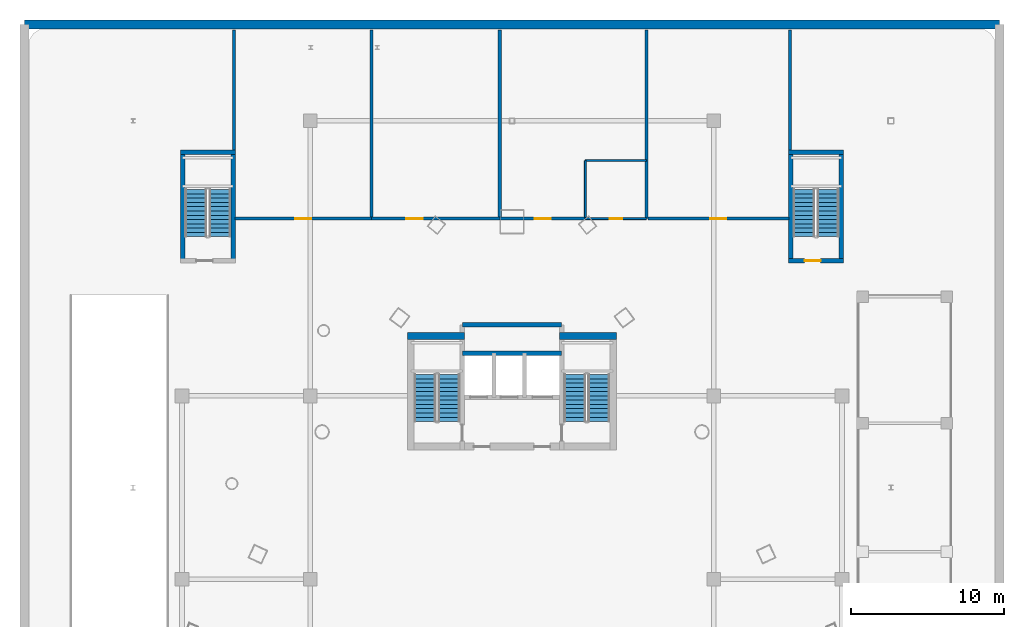
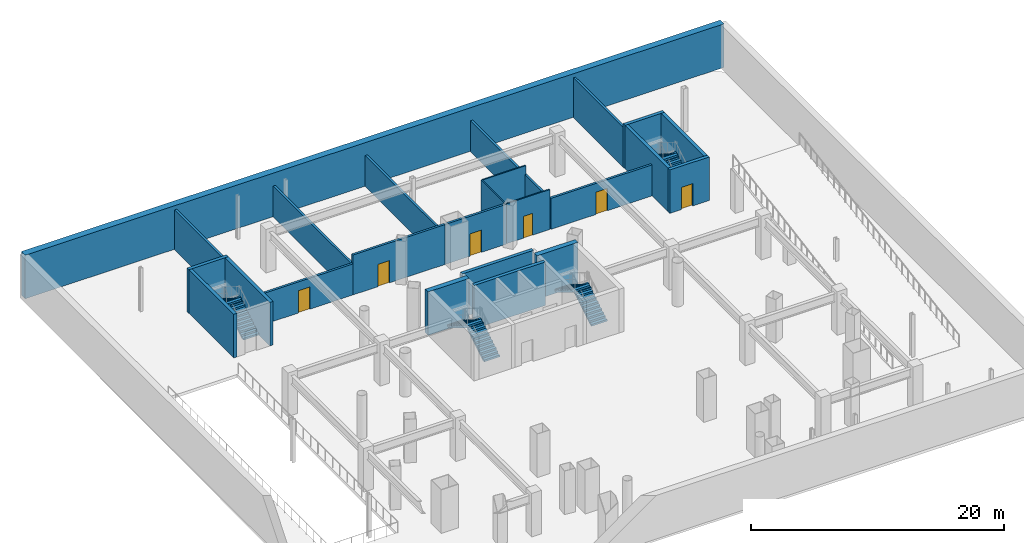
# One storey, part 6 of 10: 24 walls, 8 stair flights, 6 doors, 6 openings, 4 elements without a shape of their own.
"""IFC4 building model written with IfcOpenShell, lengths in metres."""

import ifcopenshell
import ifcopenshell.guid

model = None  # the IFC model being written
_history = None  # IfcOwnerHistory: only IFC2X3 demands one
_inside = {}  # id of a spatial element -> (the spatial element, [elements in it])
_under = {}  # id of a project, library or spatial element -> (it, [spatial elements below it])
_declared = {}  # id of a project -> (the project, [libraries it declares])
_typed = {}  # id of a type object -> (the type object, [elements of that type])
_made_of = {}  # id of a material, layer set ... -> (it, [elements and type objects made of it])


def new_model(schema):
    """Start an empty IFC model of exactly this schema.

    Asked for "IFC4X3", IfcOpenShell would pick the latest addendum, in which some entities
    have other attributes; the version numbers below select the first issue.
    IFC2X3 requires an IfcOwnerHistory on every rooted entity: one is made here for all.
    """
    global model, _history
    if schema == "IFC4X3":
        model = ifcopenshell.file(schema_version=(4, 3, 0, 0))
    else:
        model = ifcopenshell.file(schema=schema)
    _inside.clear()
    _under.clear()
    _declared.clear()
    _typed.clear()
    _made_of.clear()
    _history = None
    if model.schema == "IFC2X3":
        org = make("IfcOrganization", Name="unknown")
        user = make(
            "IfcPersonAndOrganization",
            ThePerson=make("IfcPerson", FamilyName="unknown"),
            TheOrganization=org,
        )
        app = make(
            "IfcApplication",
            ApplicationDeveloper=org,
            Version="unknown",
            ApplicationFullName="unknown",
            ApplicationIdentifier="unknown",
        )
        _history = make(
            "IfcOwnerHistory",
            OwningUser=user,
            OwningApplication=app,
            ChangeAction="ADDED",
            CreationDate=0,
        )
    return model


def make(cls, **values):
    """One entity of the class cls with the attributes given. An attribute that is None is left unset."""
    return model.create_entity(
        cls, **{name: value for name, value in values.items() if value is not None}
    )


def rooted(cls, **values):
    """An entity with a GlobalId (a new one), such as an element, a storey or a relation."""
    return make(cls, GlobalId=ifcopenshell.guid.new(), OwnerHistory=_history, **values)


def si_unit(unit_type, name, prefix=None):
    """IfcSIUnit, for example si_unit("LENGTHUNIT", "METRE", prefix="MILLI")."""
    return make("IfcSIUnit", UnitType=unit_type, Prefix=prefix, Name=name)


def assignment(units):
    """IfcUnitAssignment: the units of a project."""
    return None if units is None else make("IfcUnitAssignment", Units=units)


def point(xyz):
    """IfcCartesianPoint."""
    return None if xyz is None else make("IfcCartesianPoint", Coordinates=xyz)


def direction(xyz):
    """IfcDirection."""
    return None if xyz is None else make("IfcDirection", DirectionRatios=xyz)


def frame(location, z_axis=None, x_axis=None):
    """IfcAxis2Placement3D, a coordinate frame: its origin and axes. An axis left out is left unset."""
    return make(
        "IfcAxis2Placement3D",
        Location=point(location),
        Axis=direction(z_axis),
        RefDirection=direction(x_axis),
    )


def frame_2d(location, x_axis=None):
    """IfcAxis2Placement2D, a coordinate frame in the plane: its origin and x axis."""
    return make(
        "IfcAxis2Placement2D", Location=point(location), RefDirection=direction(x_axis)
    )


def origin():
    """The frame at (0, 0, 0) with its axes left unset."""
    return frame((0.0, 0.0, 0.0))


def place(relative_to, where):
    """IfcLocalPlacement: puts the frame where relative to a parent placement (None: the world)."""
    return make(
        "IfcLocalPlacement", PlacementRelTo=relative_to, RelativePlacement=where
    )


def context(
    kind, dimensions, precision=None, world=None, true_north=None, identifier=None
):
    """IfcGeometricRepresentationContext, for example the 3D "Model" context."""
    return make(
        "IfcGeometricRepresentationContext",
        ContextIdentifier=identifier,
        ContextType=kind,
        CoordinateSpaceDimension=dimensions,
        Precision=precision,
        WorldCoordinateSystem=world,
        TrueNorth=true_north,
    )


def subcontext(parent, identifier, kind, view, scale=None):
    """IfcGeometricRepresentationSubContext, for example "Body" below "Model"."""
    return make(
        "IfcGeometricRepresentationSubContext",
        ContextIdentifier=identifier,
        ContextType=kind,
        ParentContext=parent,
        TargetScale=scale,
        TargetView=view,
    )


def project(units=None, contexts=None):
    """IfcProject with its units and contexts."""
    return rooted(
        "IfcProject",
        Name="project",
        RepresentationContexts=contexts,
        UnitsInContext=assignment(units),
    )


def spatial(cls, under=None, at=None, **own):
    """A site, building, storey or space (cls), placed at a placement, below another one or the project."""
    s = rooted(cls, ObjectPlacement=at, **own)
    if under is not None:
        _under.setdefault(under.id(), (under, []))[1].append(s)
    return s


def polyline(points):
    """IfcPolyline through the points."""
    return make("IfcPolyline", Points=[point(p) for p in points])


def profile(cls, at=None, kind="AREA", **sizes):
    """A parametric profile (cls). Its sizes go by their IFC names, for example OverallWidth=200.0."""
    return make(cls, ProfileType=kind, Position=at, **sizes)


def rectangle(**sizes):
    """IfcRectangleProfileDef."""
    return profile("IfcRectangleProfileDef", **sizes)


def outline(outer, holes=None, kind="AREA"):
    """IfcArbitraryClosedProfileDef: a profile drawn as a closed curve; with holes, ...WithVoids."""
    if holes is None:
        return make("IfcArbitraryClosedProfileDef", ProfileType=kind, OuterCurve=outer)
    return make(
        "IfcArbitraryProfileDefWithVoids",
        ProfileType=kind,
        OuterCurve=outer,
        InnerCurves=holes,
    )


def extrude(swept, where, along, depth):
    """IfcExtrudedAreaSolid: the profile swept, set in the frame where, extruded along a direction by depth."""
    return make(
        "IfcExtrudedAreaSolid",
        SweptArea=swept,
        Position=where,
        ExtrudedDirection=direction(along),
        Depth=depth,
    )


def shape(context_of_items, identifier, shape_type, items):
    """IfcShapeRepresentation: the items that make up one representation, for example the "Body"."""
    return make(
        "IfcShapeRepresentation",
        ContextOfItems=context_of_items,
        RepresentationIdentifier=identifier,
        RepresentationType=shape_type,
        Items=items,
    )


def material(Name=None, Category=None):
    """IfcMaterial."""
    return make("IfcMaterial", Name=Name, Category=Category)


def layer(
    of_material, thickness, ventilated=None, Name=None, Category=None, Priority=None
):
    """IfcMaterialLayer: one layer of a wall or slab, of a material (None: an air gap)."""
    return make(
        "IfcMaterialLayer",
        Material=of_material,
        LayerThickness=thickness,
        IsVentilated=ventilated,
        Name=Name,
        Category=Category,
        Priority=Priority,
    )


def layer_set(layers, Name=None):
    """IfcMaterialLayerSet."""
    return make("IfcMaterialLayerSet", MaterialLayers=layers, LayerSetName=Name)


def made_of(thing, what):
    """Note that an element or type object is made of a material, layer set ...; save() writes the relation."""
    if what is not None:
        _made_of.setdefault(what.id(), (what, []))[1].append(thing)
    return thing


def type_object(cls, material=None, **own):
    """A type object (cls), such as IfcWallType, which elements share."""
    return made_of(rooted(cls, **own), material)


def element(
    cls,
    number,
    at=None,
    inside=None,
    cuts=None,
    type_object=None,
    material=None,
    context=None,
    identifier="Body",
    shape_type=None,
    held_by="IfcProductDefinitionShape",
    body=None,
    shapes=None,
    **own,
):
    """One element of the class cls, such as IfcWall. Its Tag is "e" and its number.

    at: its placement. inside: the storey or other place that contains it. cuts: it is an
    opening in that element (IfcRelVoidsElement). A single representation is given by context,
    identifier, shape_type and body (its items); several are given by shapes. held_by: the class
    of the entity that holds the representations. save() writes the other relations.
    """
    e = rooted(cls, Tag="e%d" % number, ObjectPlacement=at, **own)
    if body is not None:
        shapes = [shape(context, identifier, shape_type, body)]
    if shapes is not None:
        e.Representation = make(held_by, Representations=shapes)
    if inside is not None:
        _inside.setdefault(inside.id(), (inside, []))[1].append(e)
    if cuts is not None:
        rooted(
            "IfcRelVoidsElement", RelatingBuildingElement=cuts, RelatedOpeningElement=e
        )
    if type_object is not None:
        _typed.setdefault(type_object.id(), (type_object, []))[1].append(e)
    return made_of(e, material)


def fill(opening, filler):
    """IfcRelFillsElement: the door or window that sits in an opening."""
    return rooted(
        "IfcRelFillsElement",
        RelatingOpeningElement=opening,
        RelatedBuildingElement=filler,
    )


def aggregate(whole, parts):
    """IfcRelAggregates: a whole, such as a stair, and the parts it consists of."""
    return rooted("IfcRelAggregates", RelatingObject=whole, RelatedObjects=parts)


def save(model, path):
    """Write the relations noted so far, then the file.

    IfcRelAggregates (storeys below a building ...), IfcRelContainedInSpatialStructure (elements
    in a storey), IfcRelDefinesByType, IfcRelAssociatesMaterial and IfcRelDeclares: one each for
    every whole, place, type object, material and project.
    """
    for whole, parts in _under.values():
        aggregate(whole, parts)
    for where, things in _inside.values():
        rooted(
            "IfcRelContainedInSpatialStructure",
            RelatedElements=things,
            RelatingStructure=where,
        )
    for kind, things in _typed.values():
        rooted("IfcRelDefinesByType", RelatedObjects=things, RelatingType=kind)
    for what, things in _made_of.values():
        rooted("IfcRelAssociatesMaterial", RelatedObjects=things, RelatingMaterial=what)
    for by, libraries in _declared.values():
        rooted("IfcRelDeclares", RelatingContext=by, RelatedDefinitions=libraries)
    model.write(path)


model = new_model("IFC4")

# Units and contexts
model_context = context("Model", 3, precision=1e-05, world=origin(), true_north=direction((0.0, 1.0)))
body_context = subcontext(model_context, "Body", "Model", "MODEL_VIEW")
ifc_project = project(units=[si_unit("LENGTHUNIT", "METRE"), si_unit("AREAUNIT", "SQUARE_METRE"), si_unit("VOLUMEUNIT", "CUBIC_METRE"), si_unit("PLANEANGLEUNIT", "RADIAN"), si_unit("MASSUNIT", "GRAM", prefix="KILO")], contexts=[model_context])

# Site, building, storey
site_placement = place(None, origin())
site = spatial("IfcSite", under=ifc_project, at=site_placement, CompositionType="ELEMENT")
building_placement = place(site_placement, origin())
building = spatial("IfcBuilding", under=site, at=building_placement, Name="Orvanel Arch Residences", CompositionType="ELEMENT")
storey_placement = place(building_placement, frame((0.0, 0.0, -4.199951171875)))
storey = spatial("IfcBuildingStorey", under=building, at=storey_placement, Name="B01", CompositionType="ELEMENT", Elevation=-4.199951171875)

# Walls
ifc_material_1 = material(Name="Concrete N50 (50 MPa)", Category="concrete")
ifc_layer_1 = layer(ifc_material_1, 0.60009765625)
ifc_layer_set_1 = layer_set([ifc_layer_1], Name="Concrete N50 (50 MPa)")
wall_type_1 = type_object("IfcWallType", Name="RW-BSM-600", PredefinedType="USERDEFINED", material=ifc_layer_set_1)
wall_1_placement = place(storey_placement, frame((64.89990234375, 54.300048828125, 0.0), z_axis=(0.0, 0.0, 1.0), x_axis=(-1.0, 0.0, 0.0)))
element("IfcWall", 1, at=wall_1_placement, inside=storey, type_object=wall_type_1, Name="B01 N Basement Retaining Wall", ObjectType="RETAININGWALL", PredefinedType="USERDEFINED", context=body_context, shape_type="SweptSolid", body=[
    extrude(rectangle(XDim=63.7998046875, YDim=0.60009765625, at=frame_2d((31.89990234375, 0.0))), origin(), (0.0, 0.0, 1.0), 4.199951171875),
])
ifc_material_2 = material(Name="Concrete S80 (80 MPa)", Category="concrete")
ifc_layer_2 = layer(ifc_material_2, 0.300048828125)
ifc_layer_set_2 = layer_set([ifc_layer_2], Name="Concrete S80 (80 MPa)")
wall_type_2 = type_object("IfcWallType", Name="SW-CORE-300", PredefinedType="SHEAR", material=ifc_layer_set_2)
for number, where, z_axis, x_axis, name in (
    (2, (29.75, 32.800048828125, 0.0), (0.0, 0.0, 1.0), (1.0, 0.0, 0.0), "B01 Emergency Lift Back Core Shear Wall"),
    (3, (29.75, 34.64990234375, 0.0), (0.0, 0.0, 1.0), (1.0, 0.0, 0.0), "B01 Core Service Band North Shear Wall"),
):
    element("IfcWall", number, at=place(storey_placement, frame(where, z_axis=z_axis, x_axis=x_axis)), inside=storey, type_object=wall_type_2, Name=name, PredefinedType="SHEAR", context=body_context, shape_type="SweptSolid", body=[
        extrude(rectangle(XDim=6.5, YDim=0.300048828125, at=frame_2d((3.25, 0.0))), origin(), (0.0, 0.0, 1.0), 4.199951171875),
    ])
for number, where, z_axis, x_axis, name in (
    (4, (11.449951171875, 38.699951171875, 0.0), (0.0, 0.0, 1.0), (0.0, 1.0, 0.0), "B01 ST3 West Shear Wall"),
    (5, (14.75, 38.699951171875, 0.0), (0.0, 0.0, 1.0), (0.0, 1.0, 0.0), "B01 ST3 East Shear Wall"),
):
    element("IfcWall", number, at=place(storey_placement, frame(where, z_axis=z_axis, x_axis=x_axis)), inside=storey, type_object=wall_type_2, Name=name, PredefinedType="SHEAR", context=body_context, shape_type="SweptSolid", body=[
        extrude(rectangle(XDim=7.400146484375, YDim=0.300048828125, at=frame_2d((3.7001953125, 0.0))), origin(), (0.0, 0.0, 1.0), 4.199951171875),
    ])
wall_2_placement = place(storey_placement, frame((11.300048828125, 45.949951171875, 0.0), z_axis=(0.0, 0.0, 1.0), x_axis=(1.0, 0.0, 0.0)))
element("IfcWall", 6, at=wall_2_placement, inside=storey, type_object=wall_type_2, Name="B01 ST3 North Shear Wall", PredefinedType="SHEAR", context=body_context, shape_type="SweptSolid", body=[
    extrude(rectangle(XDim=3.599853515625, YDim=0.300048828125, at=frame_2d((1.7998046875, 0.0))), origin(), (0.0, 0.0, 1.0), 4.199951171875),
])
for number, where, z_axis, x_axis, name in (
    (7, (51.25, 38.699951171875, 0.0), (0.0, 0.0, 1.0), (0.0, 1.0, 0.0), "B01 ST4 West Shear Wall"),
    (8, (54.550048828125, 38.699951171875, 0.0), (0.0, 0.0, 1.0), (0.0, 1.0, 0.0), "B01 ST4 East Shear Wall"),
):
    element("IfcWall", number, at=place(storey_placement, frame(where, z_axis=z_axis, x_axis=x_axis)), inside=storey, type_object=wall_type_2, Name=name, PredefinedType="SHEAR", context=body_context, shape_type="SweptSolid", body=[
        extrude(rectangle(XDim=7.400146484375, YDim=0.300048828125, at=frame_2d((3.7001953125, 0.0))), origin(), (0.0, 0.0, 1.0), 4.199951171875),
    ])
wall_3_placement = place(storey_placement, frame((51.10009765625, 45.949951171875, 0.0), z_axis=(0.0, 0.0, 1.0), x_axis=(1.0, 0.0, 0.0)))
element("IfcWall", 9, at=wall_3_placement, inside=storey, type_object=wall_type_2, Name="B01 ST4 North Shear Wall", PredefinedType="SHEAR", context=body_context, shape_type="SweptSolid", body=[
    extrude(rectangle(XDim=3.599853515625, YDim=0.300048828125, at=frame_2d((1.7998046875, 0.0))), origin(), (0.0, 0.0, 1.0), 4.199951171875),
])

# Wall, opening, door
wall_4_placement = place(storey_placement, frame((51.10009765625, 38.85009765625, 0.0), z_axis=(0.0, 0.0, 1.0), x_axis=(1.0, 0.0, 0.0)))
wall_4 = element("IfcWall", 10, at=wall_4_placement, inside=storey, type_object=wall_type_2, Name="B01 ST4 South Shear Wall", PredefinedType="SHEAR", context=body_context, shape_type="SweptSolid", body=[
    extrude(rectangle(XDim=3.599853515625, YDim=0.300048828125, at=frame_2d((1.7998046875, 0.0))), origin(), (0.0, 0.0, 1.0), 4.199951171875),
])
opening_1_placement = place(wall_4_placement, frame((1.050048828125, 0.0, 0.0)))
opening_1 = element("IfcOpeningElement", 11, at=opening_1_placement, cuts=wall_4, Name="Opening DF-120", PredefinedType="OPENING", context=body_context, shape_type="SweptSolid", body=[
    extrude(rectangle(XDim=1.050048828125, YDim=2.14990234375, at=frame_2d((0.52490234375, 1.074951171875))), frame((0.0, 0.159912109375, 0.0), z_axis=(0.0, -1.0, 0.0), x_axis=(1.0, 0.0, 0.0)), (0.0, 0.0, 1.0), 0.320068359375),
])
ifc_material_3 = material(Name="Galvanised steel fire-resisting door assembly", Category="steel")
door_type_1 = type_object("IfcDoorType", Name="DR-FD120-1050", OperationType="NOTDEFINED", PredefinedType="DOOR", material=ifc_material_3)
door_1_placement = place(opening_1_placement, origin())
door_1 = element("IfcDoor", 12, at=door_1_placement, inside=storey, type_object=door_type_1, Name="DR-B01-ST4 B01 ST4 Exit Door", OperationType="SINGLE_SWING_LEFT", OverallHeight=2.14990234375, OverallWidth=1.050048828125, PredefinedType="DOOR", context=body_context, shape_type="SweptSolid", body=[
    extrude(rectangle(XDim=1.050048828125, YDim=2.14990234375, at=frame_2d((0.52490234375, 1.074951171875))), frame((0.0, 0.02490234375, 0.0), z_axis=(0.0, -1.0, 0.0), x_axis=(1.0, 0.0, 0.0)), (0.0, 0.0, 1.0), 0.050048828125),
])
fill(opening_1, door_1)

# Walls
ifc_layer_3 = layer(ifc_material_2, 0.449951171875)
ifc_layer_set_3 = layer_set([ifc_layer_3], Name="Concrete S80 (80 MPa)")
wall_type_3 = type_object("IfcWallType", Name="SW-CORE-450", PredefinedType="SHEAR", material=ifc_layer_set_3)
for number, where, z_axis, x_axis, name in (
    (13, (26.14990234375, 33.925048828125, 0.0), (0.0, 0.0, 1.0), (1.0, 0.0, 0.0), "B01 West Stair North Shear Wall"),
    (14, (36.10009765625, 33.925048828125, 0.0), (0.0, 0.0, 1.0), (1.0, 0.0, 0.0), "B01 East Stair North Shear Wall"),
):
    element("IfcWall", number, at=place(storey_placement, frame(where, z_axis=z_axis, x_axis=x_axis)), inside=storey, type_object=wall_type_3, Name=name, PredefinedType="SHEAR", context=body_context, shape_type="SweptSolid", body=[
        extrude(rectangle(XDim=3.75, YDim=0.449951171875, at=frame_2d((1.875, 0.0))), origin(), (0.0, 0.0, 1.0), 4.199951171875),
    ])
ifc_material_4 = material(Name="Fire-rated plasterboard lined steel stud partition", Category="steel")
ifc_layer_4 = layer(ifc_material_4, 0.199951171875)
ifc_layer_set_4 = layer_set([ifc_layer_4], Name="Fire-rated plasterboard lined steel stud partition")
wall_type_4 = type_object("IfcWallType", Name="W-PLT-200", PredefinedType="PARTITIONING", material=ifc_layer_set_4)
for number, where, z_axis, x_axis, name in (
    (15, (14.800048828125, 46.10009765625, 0.0), (0.0, 0.0, 1.0), (0.0, 1.0, 0.0), "B01 North Band West Wall"),
    (16, (51.199951171875, 46.10009765625, 0.0), (0.0, 0.0, 1.0), (0.0, 1.0, 0.0), "B01 North Band East Wall"),
):
    element("IfcWall", number, at=place(storey_placement, frame(where, z_axis=z_axis, x_axis=x_axis)), inside=storey, type_object=wall_type_4, Name=name, PredefinedType="PARTITIONING", context=body_context, shape_type="SweptSolid", body=[
        extrude(rectangle(XDim=7.849853515625, YDim=0.199951171875, at=frame_2d((3.9248046875, 0.0))), origin(), (0.0, 0.0, 1.0), 3.849853515625),
    ])

# Wall, opening, door
wall_5_placement = place(storey_placement, frame((14.885009765625, 41.60009765625, 0.0), z_axis=(0.0, 0.0, 1.0), x_axis=(1.0, 0.0, 0.0)))
wall_5 = element("IfcWall", 17, at=wall_5_placement, inside=storey, type_object=wall_type_4, Name="B01 Fire Sprinkler and Hydrant Tank Building Services Plant Front Wall", PredefinedType="PARTITIONING", context=body_context, shape_type="SweptSolid", body=[
    extrude(rectangle(XDim=8.9150390625, YDim=0.199951171875, at=frame_2d((4.45751953125, 0.0))), origin(), (0.0, 0.0, 1.0), 2.9990234375),
])
opening_2_placement = place(wall_5_placement, frame((3.93310546875, 0.0, 0.0)))
opening_2 = element("IfcOpeningElement", 18, at=opening_2_placement, cuts=wall_5, Name="Opening DF-120", PredefinedType="OPENING", context=body_context, shape_type="SweptSolid", body=[
    extrude(rectangle(XDim=1.050048828125, YDim=2.14990234375, at=frame_2d((0.52490234375, 1.074951171875))), frame((0.0, 0.10986328125, 0.0), z_axis=(0.0, -1.0, 0.0), x_axis=(1.0, 0.0, 0.0)), (0.0, 0.0, 1.0), 0.219970703125),
])
door_2_placement = place(opening_2_placement, origin())
door_2 = element("IfcDoor", 19, at=door_2_placement, inside=storey, type_object=door_type_1, Name="DR-B01-PLT1 B01 Fire Sprinkler and Hydrant Tank Building Services Plant Door", OperationType="SINGLE_SWING_LEFT", OverallHeight=2.14990234375, OverallWidth=1.050048828125, PredefinedType="DOOR", context=body_context, shape_type="SweptSolid", body=[
    extrude(rectangle(XDim=1.050048828125, YDim=2.14990234375, at=frame_2d((0.52490234375, 1.074951171875))), frame((0.0, 0.02490234375, 0.0), z_axis=(0.0, -1.0, 0.0), x_axis=(1.0, 0.0, 0.0)), (0.0, 0.0, 1.0), 0.050048828125),
])
fill(opening_2, door_2)

# Wall
wall_6_placement = place(storey_placement, frame((23.800048828125, 41.68505859375, 0.0), z_axis=(0.0, 0.0, 1.0), x_axis=(0.0, 1.0, 0.0)))
element("IfcWall", 20, at=wall_6_placement, inside=storey, type_object=wall_type_4, Name="B01 Fire Sprinkler and Hydrant Tank Building Services Plant Dividing Wall", PredefinedType="PARTITIONING", context=body_context, shape_type="SweptSolid", body=[
    extrude(rectangle(XDim=12.264892578125, YDim=0.199951171875, at=frame_2d((6.13232421875, 0.0))), origin(), (0.0, 0.0, 1.0), 2.9990234375),
])

# Wall, opening, door
wall_7_placement = place(storey_placement, frame((23.800048828125, 41.60009765625, 0.0), z_axis=(0.0, 0.0, 1.0), x_axis=(1.0, 0.0, 0.0)))
wall_7 = element("IfcWall", 21, at=wall_7_placement, inside=storey, type_object=wall_type_4, Name="B01 Basement Bicycle Storage and End-of-Trip Facilities Front Wall", PredefinedType="PARTITIONING", context=body_context, shape_type="SweptSolid", body=[
    extrude(rectangle(XDim=8.39990234375, YDim=0.199951171875, at=frame_2d((4.199951171875, 0.0))), origin(), (0.0, 0.0, 1.0), 3.849853515625),
])
opening_3_placement = place(wall_7_placement, frame((2.2939453125, 0.0, 0.0)))
opening_3 = element("IfcOpeningElement", 22, at=opening_3_placement, cuts=wall_7, Name="Opening DF-060", PredefinedType="OPENING", context=body_context, shape_type="SweptSolid", body=[
    extrude(rectangle(XDim=1.050048828125, YDim=2.14990234375, at=frame_2d((0.52490234375, 1.074951171875))), frame((0.0, 0.10986328125, 0.0), z_axis=(0.0, -1.0, 0.0), x_axis=(1.0, 0.0, 0.0)), (0.0, 0.0, 1.0), 0.219970703125),
])
door_type_2 = type_object("IfcDoorType", Name="DR-FD60-1050", OperationType="NOTDEFINED", PredefinedType="DOOR", material=ifc_material_3)
door_3_placement = place(opening_3_placement, origin())
door_3 = element("IfcDoor", 23, at=door_3_placement, inside=storey, type_object=door_type_2, Name="DR-B01-BIKE B01 Basement Bicycle Storage and End-of-Trip Facilities Door", OperationType="SINGLE_SWING_LEFT", OverallHeight=2.14990234375, OverallWidth=1.050048828125, PredefinedType="DOOR", context=body_context, shape_type="SweptSolid", body=[
    extrude(rectangle(XDim=1.050048828125, YDim=2.14990234375, at=frame_2d((0.52490234375, 1.074951171875))), frame((0.0, 0.02490234375, 0.0), z_axis=(0.0, -1.0, 0.0), x_axis=(1.0, 0.0, 0.0)), (0.0, 0.0, 1.0), 0.050048828125),
])
fill(opening_3, door_3)

# Wall
wall_8_placement = place(storey_placement, frame((32.199951171875, 41.68505859375, 0.0), z_axis=(0.0, 0.0, 1.0), x_axis=(0.0, 1.0, 0.0)))
element("IfcWall", 24, at=wall_8_placement, inside=storey, type_object=wall_type_4, Name="B01 Basement Bicycle Storage and End-of-Trip Facilities Dividing Wall", PredefinedType="PARTITIONING", context=body_context, shape_type="SweptSolid", body=[
    extrude(rectangle(XDim=12.264892578125, YDim=0.199951171875, at=frame_2d((6.13232421875, 0.0))), origin(), (0.0, 0.0, 1.0), 2.9990234375),
])

# Wall, opening, door
wall_9_placement = place(storey_placement, frame((32.199951171875, 41.60009765625, 0.0), z_axis=(0.0, 0.0, 1.0), x_axis=(1.0, 0.0, 0.0)))
wall_9 = element("IfcWall", 25, at=wall_9_placement, inside=storey, type_object=wall_type_4, Name="B01 Clinical Bulk Store Room Front Wall", PredefinedType="PARTITIONING", context=body_context, shape_type="SweptSolid", body=[
    extrude(rectangle(XDim=5.60009765625, YDim=0.199951171875, at=frame_2d((2.800048828125, 0.0))), origin(), (0.0, 0.0, 1.0), 3.849853515625),
])
opening_4_placement = place(wall_9_placement, frame((2.27490234375, 0.0, 0.0)))
opening_4 = element("IfcOpeningElement", 26, at=opening_4_placement, cuts=wall_9, Name="Opening DF-060", PredefinedType="OPENING", context=body_context, shape_type="SweptSolid", body=[
    extrude(rectangle(XDim=1.050048828125, YDim=2.14990234375, at=frame_2d((0.52490234375, 1.074951171875))), frame((0.0, 0.10986328125, 0.0), z_axis=(0.0, -1.0, 0.0), x_axis=(1.0, 0.0, 0.0)), (0.0, 0.0, 1.0), 0.219970703125),
])
door_4_placement = place(opening_4_placement, origin())
door_4 = element("IfcDoor", 27, at=door_4_placement, inside=storey, type_object=door_type_2, Name="DR-B01-CLIN B01 Clinical Bulk Store Room Door", OperationType="SINGLE_SWING_LEFT", OverallHeight=2.14990234375, OverallWidth=1.050048828125, PredefinedType="DOOR", context=body_context, shape_type="SweptSolid", body=[
    extrude(rectangle(XDim=1.050048828125, YDim=2.14990234375, at=frame_2d((0.52490234375, 1.074951171875))), frame((0.0, 0.02490234375, 0.0), z_axis=(0.0, -1.0, 0.0), x_axis=(1.0, 0.0, 0.0)), (0.0, 0.0, 1.0), 0.050048828125),
])
fill(opening_4, door_4)

# Wall
wall_10_placement = place(storey_placement, frame((41.800048828125, 41.60009765625, 0.0), z_axis=(0.0, 0.0, 1.0), x_axis=(0.0, 1.0, 0.0)))
element("IfcWall", 28, at=wall_10_placement, inside=storey, type_object=wall_type_4, Name="B01 Plant West Wall", PredefinedType="PARTITIONING", context=body_context, shape_type="SweptSolid", body=[
    extrude(rectangle(XDim=12.349853515625, YDim=0.199951171875, at=frame_2d((6.1748046875, 0.0))), origin(), (0.0, 0.0, 1.0), 2.9990234375),
])

# Wall, opening, door
wall_11_placement = place(storey_placement, frame((41.885009765625, 41.60009765625, 0.0), z_axis=(0.0, 0.0, 1.0), x_axis=(1.0, 0.0, 0.0)))
wall_11 = element("IfcWall", 29, at=wall_11_placement, inside=storey, type_object=wall_type_4, Name="B01 HV Substation and Emergency Generator Building Services Plant Front Wall", PredefinedType="PARTITIONING", context=body_context, shape_type="SweptSolid", body=[
    extrude(rectangle(XDim=9.22998046875, YDim=0.199951171875, at=frame_2d((4.614990234375, 0.0))), origin(), (0.0, 0.0, 1.0), 2.9990234375),
])
opening_5_placement = place(wall_11_placement, frame((4.090087890625, 0.0, 0.0)))
opening_5 = element("IfcOpeningElement", 30, at=opening_5_placement, cuts=wall_11, Name="Opening DF-120", PredefinedType="OPENING", context=body_context, shape_type="SweptSolid", body=[
    extrude(rectangle(XDim=1.050048828125, YDim=2.14990234375, at=frame_2d((0.52490234375, 1.074951171875))), frame((0.0, 0.10986328125, 0.0), z_axis=(0.0, -1.0, 0.0), x_axis=(1.0, 0.0, 0.0)), (0.0, 0.0, 1.0), 0.219970703125),
])
door_5_placement = place(opening_5_placement, origin())
door_5 = element("IfcDoor", 31, at=door_5_placement, inside=storey, type_object=door_type_1, Name="DR-B01-PLT2 B01 HV Substation and Emergency Generator Building Services Plant Door", OperationType="SINGLE_SWING_LEFT", OverallHeight=2.14990234375, OverallWidth=1.050048828125, PredefinedType="DOOR", context=body_context, shape_type="SweptSolid", body=[
    extrude(rectangle(XDim=1.050048828125, YDim=2.14990234375, at=frame_2d((0.52490234375, 1.074951171875))), frame((0.0, 0.02490234375, 0.0), z_axis=(0.0, -1.0, 0.0), x_axis=(1.0, 0.0, 0.0)), (0.0, 0.0, 1.0), 0.050048828125),
])
fill(opening_5, door_5)

ifc_material_5 = material(Name="Acoustic plasterboard lined twin-stud partition", Category="gypsum")
ifc_layer_5 = layer(ifc_material_5, 0.1201171875)
ifc_layer_set_5 = layer_set([ifc_layer_5], Name="Acoustic plasterboard lined twin-stud partition")
wall_type_5 = type_object("IfcWallType", Name="W-WET-120", PredefinedType="PARTITIONING", material=ifc_layer_set_5)
wall_12_placement = place(storey_placement, frame((37.800048828125, 41.60009765625, 0.0), z_axis=(0.0, 0.0, 1.0), x_axis=(1.0, 0.0, 0.0)))
wall_12 = element("IfcWall", 32, at=wall_12_placement, inside=storey, type_object=wall_type_5, Name="B01 Basement Staff Accessible WC Front Wall", PredefinedType="PARTITIONING", context=body_context, shape_type="SweptSolid", body=[
    extrude(rectangle(XDim=4.0, YDim=0.1201171875, at=frame_2d((2.0, 0.0))), origin(), (0.0, 0.0, 1.0), 3.849853515625),
])
opening_6_placement = place(wall_12_placement, frame((1.590087890625, 0.0, 0.0)))
opening_6 = element("IfcOpeningElement", 33, at=opening_6_placement, cuts=wall_12, Name="Opening DW-082", PredefinedType="OPENING", context=body_context, shape_type="SweptSolid", body=[
    extrude(rectangle(XDim=0.820068359375, YDim=2.10009765625, at=frame_2d((0.41015625, 1.050048828125))), frame((0.0, 0.070068359375, 0.0), z_axis=(0.0, -1.0, 0.0), x_axis=(1.0, 0.0, 0.0)), (0.0, 0.0, 1.0), 0.14013671875),
])
ifc_material_6 = material(Name="Solid-core European oak veneer fire door leaf", Category="wood")
door_type_3 = type_object("IfcDoorType", Name="DR-WET-820", OperationType="NOTDEFINED", PredefinedType="DOOR", material=ifc_material_6)
door_6_placement = place(opening_6_placement, origin())
door_6 = element("IfcDoor", 34, at=door_6_placement, inside=storey, type_object=door_type_3, Name="DR-B01-WC B01 Basement Staff Accessible WC Door", OperationType="SINGLE_SWING_LEFT", OverallHeight=2.10009765625, OverallWidth=0.820068359375, PredefinedType="DOOR", context=body_context, shape_type="SweptSolid", body=[
    extrude(rectangle(XDim=0.820068359375, YDim=2.10009765625, at=frame_2d((0.41015625, 1.050048828125))), frame((0.0, 0.02490234375, 0.0), z_axis=(0.0, -1.0, 0.0), x_axis=(1.0, 0.0, 0.0)), (0.0, 0.0, 1.0), 0.050048828125),
])
fill(opening_6, door_6)

# Walls
wall_13_placement = place(storey_placement, frame((37.800048828125, 45.39990234375, 0.0), z_axis=(0.0, 0.0, 1.0), x_axis=(1.0, 0.0, 0.0)))
element("IfcWall", 35, at=wall_13_placement, inside=storey, type_object=wall_type_5, Name="B01 WC North Wall", PredefinedType="PARTITIONING", context=body_context, shape_type="SweptSolid", body=[
    extrude(rectangle(XDim=4.0, YDim=0.1201171875, at=frame_2d((2.0, 0.0))), origin(), (0.0, 0.0, 1.0), 3.849853515625),
])
wall_14_placement = place(storey_placement, frame((37.800048828125, 41.68505859375, 0.0), z_axis=(0.0, 0.0, 1.0), x_axis=(0.0, 1.0, 0.0)))
element("IfcWall", 36, at=wall_14_placement, inside=storey, type_object=wall_type_5, Name="B01 WC West Wall", PredefinedType="PARTITIONING", context=body_context, shape_type="SweptSolid", body=[
    extrude(rectangle(XDim=3.71484375, YDim=0.1201171875, at=frame_2d((1.857421875, 0.0))), origin(), (0.0, 0.0, 1.0), 3.849853515625),
])

# Stair, stair flights
ifc_material_7 = material(Name="Precast concrete N50 (50 MPa)", Category="concrete")
stair_type = type_object("IfcStairType", Name="STR-DOG-175", PredefinedType="USERDEFINED", material=ifc_material_7)
stair_1_placement = place(storey_placement, origin())
stair_1 = element("IfcStair", 37, at=stair_1_placement, inside=storey, type_object=stair_type, Name="B01 Fire-Isolated Core Exit Stair 1", ObjectType="TWO_RETURN_STAIR", PredefinedType="USERDEFINED")
stair_flight_type_1 = type_object("IfcStairFlightType", Name="SFL-C1-175", PredefinedType="STRAIGHT", material=ifc_material_7)
stair_flight_1_placement = place(storey_placement, frame((28.889892578125, 28.320068359375, 0.0), z_axis=(0.0, 0.0, 1.0), x_axis=(0.0, 1.0, 0.0)))
stair_flight_1 = element("IfcStairFlight", 38, at=stair_flight_1_placement, type_object=stair_flight_type_1, Name="ST-1 flight 1", NumberOfRisers=12, NumberOfTreads=11, PredefinedType="STRAIGHT", RiserHeight=0.175, TreadLength=0.28, context=body_context, shape_type="SweptSolid", body=[
    extrude(outline(polyline([(0.0, 0.0), (0.0, 0.175048828125), (0.280029296875, 0.175048828125), (0.280029296875, 0.35009765625), (0.56005859375, 0.35009765625), (0.56005859375, 0.52490234375), (0.840087890625, 0.52490234375), (0.840087890625, 0.699951171875), (1.1201171875, 0.699951171875), (1.1201171875, 0.875), (1.39990234375, 0.875), (1.39990234375, 1.050048828125), (1.679931640625, 1.050048828125), (1.679931640625, 1.22509765625), (1.9599609375, 1.22509765625), (1.9599609375, 1.39990234375), (2.239990234375, 1.39990234375), (2.239990234375, 1.574951171875), (2.52001953125, 1.574951171875), (2.52001953125, 1.75), (2.800048828125, 1.75), (2.800048828125, 1.925048828125), (3.080078125, 1.925048828125), (3.080078125, 2.10009765625), (3.080078125, 1.748291015625), (0.28271484375, 0.0), (0.0, 0.0)])), frame((0.0, 0.7099609375, 0.0), z_axis=(0.0, -1.0, 0.0), x_axis=(1.0, 0.0, 0.0)), (0.0, 0.0, 1.0), 1.419921875),
])
stair_flight_2_placement = place(storey_placement, frame((27.31005859375, 31.39990234375, 2.099853515625), z_axis=(0.0, 0.0, 1.0), x_axis=(0.0, -1.0, 0.0)))
stair_flight_2 = element("IfcStairFlight", 39, at=stair_flight_2_placement, type_object=stair_flight_type_1, Name="ST-1 flight 2", NumberOfRisers=12, NumberOfTreads=11, PredefinedType="STRAIGHT", RiserHeight=0.175, TreadLength=0.28, context=body_context, shape_type="SweptSolid", body=[
    extrude(outline(polyline([(0.0, 0.0), (0.0, 0.175048828125), (0.280029296875, 0.175048828125), (0.280029296875, 0.35009765625), (0.56005859375, 0.35009765625), (0.56005859375, 0.52490234375), (0.840087890625, 0.52490234375), (0.840087890625, 0.699951171875), (1.1201171875, 0.699951171875), (1.1201171875, 0.875), (1.39990234375, 0.875), (1.39990234375, 1.050048828125), (1.679931640625, 1.050048828125), (1.679931640625, 1.22509765625), (1.9599609375, 1.22509765625), (1.9599609375, 1.39990234375), (2.239990234375, 1.39990234375), (2.239990234375, 1.574951171875), (2.52001953125, 1.574951171875), (2.52001953125, 1.75), (2.800048828125, 1.75), (2.800048828125, 1.925048828125), (3.080078125, 1.925048828125), (3.080078125, 2.10009765625), (3.080078125, 1.748291015625), (0.28271484375, 0.0), (0.0, 0.0)])), frame((0.0, 0.7099609375, 0.0), z_axis=(0.0, -1.0, 0.0), x_axis=(1.0, 0.0, 0.0)), (0.0, 0.0, 1.0), 1.419921875),
])
aggregate(stair_1, [stair_flight_1, stair_flight_2])

stair_2_placement = place(storey_placement, origin())
stair_2 = element("IfcStair", 40, at=stair_2_placement, inside=storey, type_object=stair_type, Name="B01 Fire-Isolated Core Exit Stair 2", ObjectType="TWO_RETURN_STAIR", PredefinedType="USERDEFINED")
stair_flight_type_2 = type_object("IfcStairFlightType", Name="SFL-C2-175", PredefinedType="STRAIGHT", material=ifc_material_7)
stair_flight_3_placement = place(storey_placement, frame((38.68994140625, 28.320068359375, 0.0), z_axis=(0.0, 0.0, 1.0), x_axis=(0.0, 1.0, 0.0)))
stair_flight_3 = element("IfcStairFlight", 41, at=stair_flight_3_placement, type_object=stair_flight_type_2, Name="ST-2 flight 1", NumberOfRisers=12, NumberOfTreads=11, PredefinedType="STRAIGHT", RiserHeight=0.175, TreadLength=0.28, context=body_context, shape_type="SweptSolid", body=[
    extrude(outline(polyline([(0.0, 0.0), (0.0, 0.175048828125), (0.280029296875, 0.175048828125), (0.280029296875, 0.35009765625), (0.56005859375, 0.35009765625), (0.56005859375, 0.52490234375), (0.840087890625, 0.52490234375), (0.840087890625, 0.699951171875), (1.1201171875, 0.699951171875), (1.1201171875, 0.875), (1.39990234375, 0.875), (1.39990234375, 1.050048828125), (1.679931640625, 1.050048828125), (1.679931640625, 1.22509765625), (1.9599609375, 1.22509765625), (1.9599609375, 1.39990234375), (2.239990234375, 1.39990234375), (2.239990234375, 1.574951171875), (2.52001953125, 1.574951171875), (2.52001953125, 1.75), (2.800048828125, 1.75), (2.800048828125, 1.925048828125), (3.080078125, 1.925048828125), (3.080078125, 2.10009765625), (3.080078125, 1.748291015625), (0.28271484375, 0.0), (0.0, 0.0)])), frame((0.0, 0.7099609375, 0.0), z_axis=(0.0, -1.0, 0.0), x_axis=(1.0, 0.0, 0.0)), (0.0, 0.0, 1.0), 1.419921875),
])
stair_flight_4_placement = place(storey_placement, frame((37.110107421875, 31.39990234375, 2.099853515625), z_axis=(0.0, 0.0, 1.0), x_axis=(0.0, -1.0, 0.0)))
stair_flight_4 = element("IfcStairFlight", 42, at=stair_flight_4_placement, type_object=stair_flight_type_2, Name="ST-2 flight 2", NumberOfRisers=12, NumberOfTreads=11, PredefinedType="STRAIGHT", RiserHeight=0.175, TreadLength=0.28, context=body_context, shape_type="SweptSolid", body=[
    extrude(outline(polyline([(0.0, 0.0), (0.0, 0.175048828125), (0.280029296875, 0.175048828125), (0.280029296875, 0.35009765625), (0.56005859375, 0.35009765625), (0.56005859375, 0.52490234375), (0.840087890625, 0.52490234375), (0.840087890625, 0.699951171875), (1.1201171875, 0.699951171875), (1.1201171875, 0.875), (1.39990234375, 0.875), (1.39990234375, 1.050048828125), (1.679931640625, 1.050048828125), (1.679931640625, 1.22509765625), (1.9599609375, 1.22509765625), (1.9599609375, 1.39990234375), (2.239990234375, 1.39990234375), (2.239990234375, 1.574951171875), (2.52001953125, 1.574951171875), (2.52001953125, 1.75), (2.800048828125, 1.75), (2.800048828125, 1.925048828125), (3.080078125, 1.925048828125), (3.080078125, 2.10009765625), (3.080078125, 1.748291015625), (0.28271484375, 0.0), (0.0, 0.0)])), frame((0.0, 0.7099609375, 0.0), z_axis=(0.0, -1.0, 0.0), x_axis=(1.0, 0.0, 0.0)), (0.0, 0.0, 1.0), 1.419921875),
])
aggregate(stair_2, [stair_flight_3, stair_flight_4])

stair_3_placement = place(storey_placement, origin())
stair_3 = element("IfcStair", 43, at=stair_3_placement, inside=storey, type_object=stair_type, Name="B01 West Podium Fire-Isolated Exit Stair 3", ObjectType="TWO_RETURN_STAIR", PredefinedType="USERDEFINED")
stair_flight_type_3 = type_object("IfcStairFlightType", Name="SFL-C3-175", PredefinedType="STRAIGHT", material=ifc_material_7)
stair_flight_5_placement = place(storey_placement, frame((13.889892578125, 40.419921875, 0.0), z_axis=(0.0, 0.0, 1.0), x_axis=(0.0, 1.0, 0.0)))
stair_flight_5 = element("IfcStairFlight", 44, at=stair_flight_5_placement, type_object=stair_flight_type_3, Name="ST-3 flight 1", NumberOfRisers=12, NumberOfTreads=11, PredefinedType="STRAIGHT", RiserHeight=0.175, TreadLength=0.28, context=body_context, shape_type="SweptSolid", body=[
    extrude(outline(polyline([(0.0, 0.0), (0.0, 0.175048828125), (0.280029296875, 0.175048828125), (0.280029296875, 0.35009765625), (0.56005859375, 0.35009765625), (0.56005859375, 0.52490234375), (0.840087890625, 0.52490234375), (0.840087890625, 0.699951171875), (1.1201171875, 0.699951171875), (1.1201171875, 0.875), (1.39990234375, 0.875), (1.39990234375, 1.050048828125), (1.679931640625, 1.050048828125), (1.679931640625, 1.22509765625), (1.9599609375, 1.22509765625), (1.9599609375, 1.39990234375), (2.239990234375, 1.39990234375), (2.239990234375, 1.574951171875), (2.52001953125, 1.574951171875), (2.52001953125, 1.75), (2.800048828125, 1.75), (2.800048828125, 1.925048828125), (3.080078125, 1.925048828125), (3.080078125, 2.10009765625), (3.080078125, 1.748291015625), (0.28271484375, 0.0), (0.0, 0.0)])), frame((0.0, 0.7099609375, 0.0), z_axis=(0.0, -1.0, 0.0), x_axis=(1.0, 0.0, 0.0)), (0.0, 0.0, 1.0), 1.419921875),
])
stair_flight_6_placement = place(storey_placement, frame((12.31005859375, 43.5, 2.099853515625), z_axis=(0.0, 0.0, 1.0), x_axis=(0.0, -1.0, 0.0)))
stair_flight_6 = element("IfcStairFlight", 45, at=stair_flight_6_placement, type_object=stair_flight_type_3, Name="ST-3 flight 2", NumberOfRisers=12, NumberOfTreads=11, PredefinedType="STRAIGHT", RiserHeight=0.175, TreadLength=0.28, context=body_context, shape_type="SweptSolid", body=[
    extrude(outline(polyline([(0.0, 0.0), (0.0, 0.175048828125), (0.280029296875, 0.175048828125), (0.280029296875, 0.35009765625), (0.56005859375, 0.35009765625), (0.56005859375, 0.52490234375), (0.840087890625, 0.52490234375), (0.840087890625, 0.699951171875), (1.1201171875, 0.699951171875), (1.1201171875, 0.875), (1.39990234375, 0.875), (1.39990234375, 1.050048828125), (1.679931640625, 1.050048828125), (1.679931640625, 1.22509765625), (1.9599609375, 1.22509765625), (1.9599609375, 1.39990234375), (2.239990234375, 1.39990234375), (2.239990234375, 1.574951171875), (2.52001953125, 1.574951171875), (2.52001953125, 1.75), (2.800048828125, 1.75), (2.800048828125, 1.925048828125), (3.080078125, 1.925048828125), (3.080078125, 2.10009765625), (3.080078125, 1.748291015625), (0.28271484375, 0.0), (0.0, 0.0)])), frame((0.0, 0.7099609375, 0.0), z_axis=(0.0, -1.0, 0.0), x_axis=(1.0, 0.0, 0.0)), (0.0, 0.0, 1.0), 1.419921875),
])
aggregate(stair_3, [stair_flight_5, stair_flight_6])

stair_4_placement = place(storey_placement, origin())
stair_4 = element("IfcStair", 46, at=stair_4_placement, inside=storey, type_object=stair_type, Name="B01 East Podium Fire-Isolated Exit Stair 4", ObjectType="TWO_RETURN_STAIR", PredefinedType="USERDEFINED")
stair_flight_type_4 = type_object("IfcStairFlightType", Name="SFL-C4-175", PredefinedType="STRAIGHT", material=ifc_material_7)
stair_flight_7_placement = place(storey_placement, frame((53.68994140625, 40.419921875, 0.0), z_axis=(0.0, 0.0, 1.0), x_axis=(0.0, 1.0, 0.0)))
stair_flight_7 = element("IfcStairFlight", 47, at=stair_flight_7_placement, type_object=stair_flight_type_4, Name="ST-4 flight 1", NumberOfRisers=12, NumberOfTreads=11, PredefinedType="STRAIGHT", RiserHeight=0.175, TreadLength=0.28, context=body_context, shape_type="SweptSolid", body=[
    extrude(outline(polyline([(0.0, 0.0), (0.0, 0.175048828125), (0.280029296875, 0.175048828125), (0.280029296875, 0.35009765625), (0.56005859375, 0.35009765625), (0.56005859375, 0.52490234375), (0.840087890625, 0.52490234375), (0.840087890625, 0.699951171875), (1.1201171875, 0.699951171875), (1.1201171875, 0.875), (1.39990234375, 0.875), (1.39990234375, 1.050048828125), (1.679931640625, 1.050048828125), (1.679931640625, 1.22509765625), (1.9599609375, 1.22509765625), (1.9599609375, 1.39990234375), (2.239990234375, 1.39990234375), (2.239990234375, 1.574951171875), (2.52001953125, 1.574951171875), (2.52001953125, 1.75), (2.800048828125, 1.75), (2.800048828125, 1.925048828125), (3.080078125, 1.925048828125), (3.080078125, 2.10009765625), (3.080078125, 1.748291015625), (0.28271484375, 0.0), (0.0, 0.0)])), frame((0.0, 0.7099609375, 0.0), z_axis=(0.0, -1.0, 0.0), x_axis=(1.0, 0.0, 0.0)), (0.0, 0.0, 1.0), 1.419921875),
])
stair_flight_8_placement = place(storey_placement, frame((52.110107421875, 43.5, 2.099853515625), z_axis=(0.0, 0.0, 1.0), x_axis=(0.0, -1.0, 0.0)))
stair_flight_8 = element("IfcStairFlight", 48, at=stair_flight_8_placement, type_object=stair_flight_type_4, Name="ST-4 flight 2", NumberOfRisers=12, NumberOfTreads=11, PredefinedType="STRAIGHT", RiserHeight=0.175, TreadLength=0.28, context=body_context, shape_type="SweptSolid", body=[
    extrude(outline(polyline([(0.0, 0.0), (0.0, 0.175048828125), (0.280029296875, 0.175048828125), (0.280029296875, 0.35009765625), (0.56005859375, 0.35009765625), (0.56005859375, 0.52490234375), (0.840087890625, 0.52490234375), (0.840087890625, 0.699951171875), (1.1201171875, 0.699951171875), (1.1201171875, 0.875), (1.39990234375, 0.875), (1.39990234375, 1.050048828125), (1.679931640625, 1.050048828125), (1.679931640625, 1.22509765625), (1.9599609375, 1.22509765625), (1.9599609375, 1.39990234375), (2.239990234375, 1.39990234375), (2.239990234375, 1.574951171875), (2.52001953125, 1.574951171875), (2.52001953125, 1.75), (2.800048828125, 1.75), (2.800048828125, 1.925048828125), (3.080078125, 1.925048828125), (3.080078125, 2.10009765625), (3.080078125, 1.748291015625), (0.28271484375, 0.0), (0.0, 0.0)])), frame((0.0, 0.7099609375, 0.0), z_axis=(0.0, -1.0, 0.0), x_axis=(1.0, 0.0, 0.0)), (0.0, 0.0, 1.0), 1.419921875),
])
aggregate(stair_4, [stair_flight_7, stair_flight_8])

save(model, "model.ifc")
